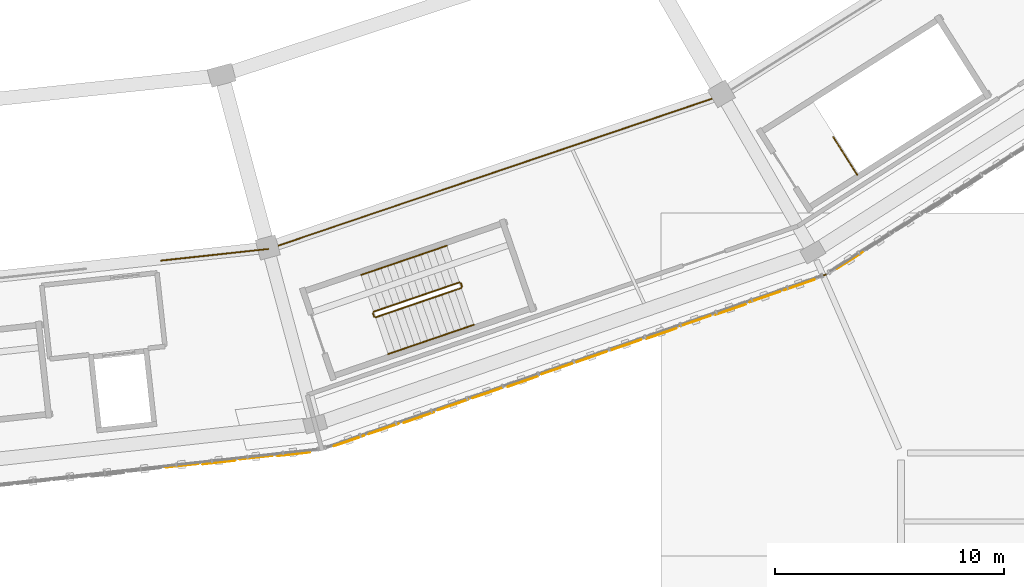
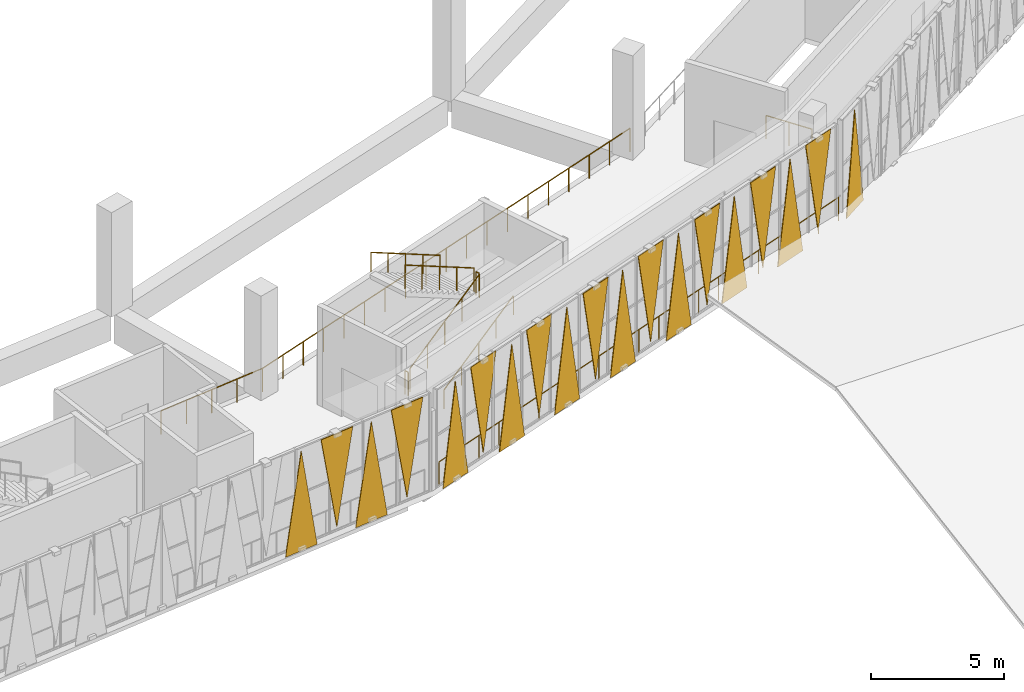
# One storey, part 91 of 108: 19 coverings, 10 railings.
"""IFC4 building model written with IfcOpenShell, lengths in metres."""

import ifcopenshell
import ifcopenshell.guid

model = None  # the IFC model being written
_history = None  # IfcOwnerHistory: only IFC2X3 demands one
_inside = {}  # id of a spatial element -> (the spatial element, [elements in it])
_under = {}  # id of a project, library or spatial element -> (it, [spatial elements below it])
_declared = {}  # id of a project -> (the project, [libraries it declares])
_typed = {}  # id of a type object -> (the type object, [elements of that type])
_made_of = {}  # id of a material, layer set ... -> (it, [elements and type objects made of it])


def new_model(schema):
    """Start an empty IFC model of exactly this schema.

    Asked for "IFC4X3", IfcOpenShell would pick the latest addendum, in which some entities
    have other attributes; the version numbers below select the first issue.
    IFC2X3 requires an IfcOwnerHistory on every rooted entity: one is made here for all.
    """
    global model, _history
    if schema == "IFC4X3":
        model = ifcopenshell.file(schema_version=(4, 3, 0, 0))
    else:
        model = ifcopenshell.file(schema=schema)
    _inside.clear()
    _under.clear()
    _declared.clear()
    _typed.clear()
    _made_of.clear()
    _history = None
    if model.schema == "IFC2X3":
        org = make("IfcOrganization", Name="unknown")
        user = make(
            "IfcPersonAndOrganization",
            ThePerson=make("IfcPerson", FamilyName="unknown"),
            TheOrganization=org,
        )
        app = make(
            "IfcApplication",
            ApplicationDeveloper=org,
            Version="unknown",
            ApplicationFullName="unknown",
            ApplicationIdentifier="unknown",
        )
        _history = make(
            "IfcOwnerHistory",
            OwningUser=user,
            OwningApplication=app,
            ChangeAction="ADDED",
            CreationDate=0,
        )
    return model


def make(cls, **values):
    """One entity of the class cls with the attributes given. An attribute that is None is left unset."""
    return model.create_entity(
        cls, **{name: value for name, value in values.items() if value is not None}
    )


def rooted(cls, **values):
    """An entity with a GlobalId (a new one), such as an element, a storey or a relation."""
    return make(cls, GlobalId=ifcopenshell.guid.new(), OwnerHistory=_history, **values)


def si_unit(unit_type, name, prefix=None):
    """IfcSIUnit, for example si_unit("LENGTHUNIT", "METRE", prefix="MILLI")."""
    return make("IfcSIUnit", UnitType=unit_type, Prefix=prefix, Name=name)


def assignment(units):
    """IfcUnitAssignment: the units of a project."""
    return None if units is None else make("IfcUnitAssignment", Units=units)


def point(xyz):
    """IfcCartesianPoint."""
    return None if xyz is None else make("IfcCartesianPoint", Coordinates=xyz)


def direction(xyz):
    """IfcDirection."""
    return None if xyz is None else make("IfcDirection", DirectionRatios=xyz)


def frame(location, z_axis=None, x_axis=None):
    """IfcAxis2Placement3D, a coordinate frame: its origin and axes. An axis left out is left unset."""
    return make(
        "IfcAxis2Placement3D",
        Location=point(location),
        Axis=direction(z_axis),
        RefDirection=direction(x_axis),
    )


def frame_2d(location, x_axis=None):
    """IfcAxis2Placement2D, a coordinate frame in the plane: its origin and x axis."""
    return make(
        "IfcAxis2Placement2D", Location=point(location), RefDirection=direction(x_axis)
    )


def origin():
    """The frame at (0, 0, 0) with its axes left unset."""
    return frame((0.0, 0.0, 0.0))


def origin_2d():
    """The frame at (0, 0) in the plane with its x axis left unset."""
    return frame_2d((0.0, 0.0))


def place(relative_to, where):
    """IfcLocalPlacement: puts the frame where relative to a parent placement (None: the world)."""
    return make(
        "IfcLocalPlacement", PlacementRelTo=relative_to, RelativePlacement=where
    )


def context(
    kind, dimensions, precision=None, world=None, true_north=None, identifier=None
):
    """IfcGeometricRepresentationContext, for example the 3D "Model" context."""
    return make(
        "IfcGeometricRepresentationContext",
        ContextIdentifier=identifier,
        ContextType=kind,
        CoordinateSpaceDimension=dimensions,
        Precision=precision,
        WorldCoordinateSystem=world,
        TrueNorth=true_north,
    )


def subcontext(parent, identifier, kind, view, scale=None):
    """IfcGeometricRepresentationSubContext, for example "Body" below "Model"."""
    return make(
        "IfcGeometricRepresentationSubContext",
        ContextIdentifier=identifier,
        ContextType=kind,
        ParentContext=parent,
        TargetScale=scale,
        TargetView=view,
    )


def project(units=None, contexts=None):
    """IfcProject with its units and contexts."""
    return rooted(
        "IfcProject",
        Name="project",
        RepresentationContexts=contexts,
        UnitsInContext=assignment(units),
    )


def spatial(cls, under=None, at=None, **own):
    """A site, building, storey or space (cls), placed at a placement, below another one or the project."""
    s = rooted(cls, ObjectPlacement=at, **own)
    if under is not None:
        _under.setdefault(under.id(), (under, []))[1].append(s)
    return s


def polyline(points):
    """IfcPolyline through the points."""
    return make("IfcPolyline", Points=[point(p) for p in points])


def profile(cls, at=None, kind="AREA", **sizes):
    """A parametric profile (cls). Its sizes go by their IFC names, for example OverallWidth=200.0."""
    return make(cls, ProfileType=kind, Position=at, **sizes)


def circle(**sizes):
    """IfcCircleProfileDef."""
    return profile("IfcCircleProfileDef", **sizes)


def outline(outer, holes=None, kind="AREA"):
    """IfcArbitraryClosedProfileDef: a profile drawn as a closed curve; with holes, ...WithVoids."""
    if holes is None:
        return make("IfcArbitraryClosedProfileDef", ProfileType=kind, OuterCurve=outer)
    return make(
        "IfcArbitraryProfileDefWithVoids",
        ProfileType=kind,
        OuterCurve=outer,
        InnerCurves=holes,
    )


def extrude(swept, where, along, depth):
    """IfcExtrudedAreaSolid: the profile swept, set in the frame where, extruded along a direction by depth."""
    return make(
        "IfcExtrudedAreaSolid",
        SweptArea=swept,
        Position=where,
        ExtrudedDirection=direction(along),
        Depth=depth,
    )


def shape(context_of_items, identifier, shape_type, items):
    """IfcShapeRepresentation: the items that make up one representation, for example the "Body"."""
    return make(
        "IfcShapeRepresentation",
        ContextOfItems=context_of_items,
        RepresentationIdentifier=identifier,
        RepresentationType=shape_type,
        Items=items,
    )


def material(Name=None, Category=None):
    """IfcMaterial."""
    return make("IfcMaterial", Name=Name, Category=Category)


def layer(
    of_material, thickness, ventilated=None, Name=None, Category=None, Priority=None
):
    """IfcMaterialLayer: one layer of a wall or slab, of a material (None: an air gap)."""
    return make(
        "IfcMaterialLayer",
        Material=of_material,
        LayerThickness=thickness,
        IsVentilated=ventilated,
        Name=Name,
        Category=Category,
        Priority=Priority,
    )


def layer_set(layers, Name=None):
    """IfcMaterialLayerSet."""
    return make("IfcMaterialLayerSet", MaterialLayers=layers, LayerSetName=Name)


def made_of(thing, what):
    """Note that an element or type object is made of a material, layer set ...; save() writes the relation."""
    if what is not None:
        _made_of.setdefault(what.id(), (what, []))[1].append(thing)
    return thing


def type_object(cls, material=None, **own):
    """A type object (cls), such as IfcWallType, which elements share."""
    return made_of(rooted(cls, **own), material)


def element(
    cls,
    number,
    at=None,
    inside=None,
    cuts=None,
    type_object=None,
    material=None,
    context=None,
    identifier="Body",
    shape_type=None,
    held_by="IfcProductDefinitionShape",
    body=None,
    shapes=None,
    **own,
):
    """One element of the class cls, such as IfcWall. Its Tag is "e" and its number.

    at: its placement. inside: the storey or other place that contains it. cuts: it is an
    opening in that element (IfcRelVoidsElement). A single representation is given by context,
    identifier, shape_type and body (its items); several are given by shapes. held_by: the class
    of the entity that holds the representations. save() writes the other relations.
    """
    e = rooted(cls, Tag="e%d" % number, ObjectPlacement=at, **own)
    if body is not None:
        shapes = [shape(context, identifier, shape_type, body)]
    if shapes is not None:
        e.Representation = make(held_by, Representations=shapes)
    if inside is not None:
        _inside.setdefault(inside.id(), (inside, []))[1].append(e)
    if cuts is not None:
        rooted(
            "IfcRelVoidsElement", RelatingBuildingElement=cuts, RelatedOpeningElement=e
        )
    if type_object is not None:
        _typed.setdefault(type_object.id(), (type_object, []))[1].append(e)
    return made_of(e, material)


def aggregate(whole, parts):
    """IfcRelAggregates: a whole, such as a stair, and the parts it consists of."""
    return rooted("IfcRelAggregates", RelatingObject=whole, RelatedObjects=parts)


def save(model, path):
    """Write the relations noted so far, then the file.

    IfcRelAggregates (storeys below a building ...), IfcRelContainedInSpatialStructure (elements
    in a storey), IfcRelDefinesByType, IfcRelAssociatesMaterial and IfcRelDeclares: one each for
    every whole, place, type object, material and project.
    """
    for whole, parts in _under.values():
        aggregate(whole, parts)
    for where, things in _inside.values():
        rooted(
            "IfcRelContainedInSpatialStructure",
            RelatedElements=things,
            RelatingStructure=where,
        )
    for kind, things in _typed.values():
        rooted("IfcRelDefinesByType", RelatedObjects=things, RelatingType=kind)
    for what, things in _made_of.values():
        rooted("IfcRelAssociatesMaterial", RelatedObjects=things, RelatingMaterial=what)
    for by, libraries in _declared.values():
        rooted("IfcRelDeclares", RelatingContext=by, RelatedDefinitions=libraries)
    model.write(path)


model = new_model("IFC4")

# Units and contexts
model_context = context("Model", 3, precision=1e-05, world=origin(), true_north=direction((0.0, 1.0)))
body_context = subcontext(model_context, "Body", "Model", "MODEL_VIEW")
ifc_project = project(units=[si_unit("LENGTHUNIT", "METRE"), si_unit("AREAUNIT", "SQUARE_METRE"), si_unit("VOLUMEUNIT", "CUBIC_METRE"), si_unit("PLANEANGLEUNIT", "RADIAN"), si_unit("MASSUNIT", "GRAM", prefix="KILO")], contexts=[model_context])

# Site, building, storey
site_placement = place(None, origin())
site = spatial("IfcSite", under=ifc_project, at=site_placement, CompositionType="ELEMENT")
building_placement = place(site_placement, origin())
building = spatial("IfcBuilding", under=site, at=building_placement, Name="Zevraka Park Crest Stadium", CompositionType="ELEMENT")
storey_placement = place(building_placement, frame((0.0, 0.0, 19.800048828125)))
storey = spatial("IfcBuildingStorey", under=building, at=storey_placement, Name="L04", CompositionType="ELEMENT", Elevation=19.800048828125)

# Coverings
ifc_material_1 = material(Name="Architectural golden-bronze perforated aluminium", Category="aluminium")
ifc_layer = layer(ifc_material_1, 0.034912109375)
ifc_layer_set = layer_set([ifc_layer], Name="Architectural golden-bronze perforated aluminium")
covering_type = type_object("IfcCoveringType", Name="CLD01", PredefinedType="CLADDING", material=ifc_layer_set)
covering_1_placement = place(storey_placement, frame((128.803955078125, 17.35009765625, -0.219970703125), z_axis=(0.108943553781, -0.994047934571, 7.6581914e-05), x_axis=(0.994047937486, 0.1089435541, 0.0)))
element("IfcCovering", 1, at=covering_1_placement, inside=storey, type_object=covering_type, Name="Triangular Golden-Bronze Perforated Cladding L04-18-11", PredefinedType="CLADDING", context=body_context, shape_type="SweptSolid", body=[
    extrude(outline(polyline([(0.0, 0.0), (1.476807629456759, 1.6940658945086007e-21), (0.73856505479183, 4.579833997804882), (0.0, 0.0)])), origin(), (0.0, 0.0, -1.0), 0.034912109375),
])
covering_2_placement = place(storey_placement, frame((131.89990234375, 17.69091796875, 4.52001953125), z_axis=(-0.109524916969, 0.993984050376, 1.2671307e-05), x_axis=(-0.993984050456, -0.109524916977, 0.0)))
element("IfcCovering", 2, at=covering_2_placement, inside=storey, type_object=covering_type, Name="Triangular Golden-Bronze Perforated Cladding L04-18-12", PredefinedType="CLADDING", context=body_context, shape_type="SweptSolid", body=[
    extrude(outline(polyline([(0.0, 0.0), (1.477885022351149, 0.0), (0.7383224617164366, -4.300048828470214), (0.0, 0.0)])), origin(), (0.0, 0.0, -1.0), 0.034912109375),
])
covering_3_placement = place(storey_placement, frame((132.05908203125, 17.7080078125, -0.219970703125), z_axis=(0.109688126845, -0.99396605305, 1.4618067e-05), x_axis=(0.993966053156, 0.109688126857, 0.0)))
element("IfcCovering", 3, at=covering_3_placement, inside=storey, type_object=covering_type, Name="Triangular Golden-Bronze Perforated Cladding L04-18-13", PredefinedType="CLADDING", context=body_context, shape_type="SweptSolid", body=[
    extrude(outline(polyline([(0.0, 0.0), (1.477911781756094, 4.235164736271502e-22), (0.7383492221444313, 4.579833984864329), (0.0, 0.0)])), origin(), (0.0, 0.0, -1.0), 0.034912109375),
])
covering_4_placement = place(storey_placement, frame((135.155029296875, 18.049072265625, 4.52001953125), z_axis=(-0.109760215407, 0.993958095246, 3.115886e-06), x_axis=(-0.99395809525, -0.109760215408, 0.0)))
element("IfcCovering", 4, at=covering_4_placement, inside=storey, type_object=covering_type, Name="Triangular Golden-Bronze Perforated Cladding L04-18-14", PredefinedType="CLADDING", context=body_context, shape_type="SweptSolid", body=[
    extrude(outline(polyline([(0.0, 0.0), (1.4769411156667285, 0.0), (0.7385918906086634, -4.300048828145875), (0.0, 0.0)])), origin(), (0.0, 0.0, -1.0), 0.034912109375),
])
covering_5_placement = place(storey_placement, frame((136.18310546875, 18.280029296875, -0.219970703125), z_axis=(0.327569380281, -0.944827118034, 0.000134647502), x_axis=(0.944827126599, 0.327569383251, 0.0)))
element("IfcCovering", 5, at=covering_5_placement, inside=storey, type_object=covering_type, Name="Triangular Golden-Bronze Perforated Cladding L04-19-1", PredefinedType="CLADDING", context=body_context, shape_type="SweptSolid", body=[
    extrude(outline(polyline([(0.0, 0.0), (1.4436648075350447, 0.0), (0.7219170009098143, 4.579834025891081), (0.0, 0.0)])), origin(), (0.0, 0.0, -1.0), 0.034912109375),
])
covering_6_placement = place(storey_placement, frame((139.06298828125, 19.278076171875, 4.52001953125), z_axis=(0.327511027128, -0.944847343999, 0.000153776884), x_axis=(-0.944847355171, -0.327511031, 0.0)))
element("IfcCovering", 6, at=covering_6_placement, inside=storey, type_object=covering_type, Name="Triangular Golden-Bronze Perforated Cladding L04-19-2", PredefinedType="CLADDING", context=body_context, shape_type="SweptSolid", body=[
    extrude(outline(polyline([(0.0, 0.0), (1.4446674660249328, 0.0), (0.7219169614485192, 4.300048878967339), (0.0, 0.0)])), origin(), (0.0, 0.0, -1.0), 0.034912109375),
])
covering_7_placement = place(storey_placement, frame((139.214111328125, 19.330078125, -0.219970703125), z_axis=(-0.327621727987, 0.944808968785, 0.00012591409), x_axis=(0.944808976275, 0.327621730584, 0.0)))
element("IfcCovering", 7, at=covering_7_placement, inside=storey, type_object=covering_type, Name="Triangular Golden-Bronze Perforated Cladding L04-19-3", PredefinedType="CLADDING", context=body_context, shape_type="SweptSolid", body=[
    extrude(outline(polyline([(0.0, 0.0), (1.4434341390652787, -6.776263578034403e-21), (0.7215171050974682, -4.579834020680166), (0.0, 0.0)])), origin(), (0.0, 0.0, -1.0), 0.034912109375),
])
covering_8_placement = place(storey_placement, frame((142.093994140625, 20.326904296875, 4.52001953125), z_axis=(0.326756380834, -0.945108600745, 1.9550142e-05), x_axis=(-0.945108600926, -0.326756380896, 0.0)))
element("IfcCovering", 8, at=covering_8_placement, inside=storey, type_object=covering_type, Name="Triangular Golden-Bronze Perforated Cladding L04-19-4", PredefinedType="CLADDING", context=body_context, shape_type="SweptSolid", body=[
    extrude(outline(polyline([(0.0, 0.0), (1.4442681328241207, -1.6940658945086007e-21), (0.7215173306472258, 4.300048828946757), (0.0, 0.0)])), origin(), (0.0, 0.0, -1.0), 0.034912109375),
])
covering_9_placement = place(storey_placement, frame((142.2451171875, 20.3798828125, -0.219970703125), z_axis=(0.327168665481, -0.944965959348, 0.0), x_axis=(0.944965959348, 0.327168665481, 0.0)))
element("IfcCovering", 9, at=covering_9_placement, inside=storey, type_object=covering_type, Name="Triangular Golden-Bronze Perforated Cladding L04-19-5", PredefinedType="CLADDING", context=body_context, shape_type="SweptSolid", body=[
    extrude(outline(polyline([(0.0, 0.0), (1.4431943476466869, 0.0), (0.7215971738233434, 4.579833984375), (0.0, 0.0)])), origin(), (0.0, 0.0, -1.0), 0.034912109375),
])
covering_10_placement = place(storey_placement, frame((145.125, 21.376953125, 4.52001953125), z_axis=(-0.32696531961, 0.945036337642, 1.7545876e-05), x_axis=(-0.945036337788, -0.326965319661, 0.0)))
element("IfcCovering", 10, at=covering_10_placement, inside=storey, type_object=covering_type, Name="Triangular Golden-Bronze Perforated Cladding L04-19-6", PredefinedType="CLADDING", context=body_context, shape_type="SweptSolid", body=[
    extrude(outline(polyline([(0.0, 0.0), (1.443345210479487, 0.0), (0.7215173315999183, -4.3000488287869025), (0.0, 0.0)])), origin(), (0.0, 0.0, -1.0), 0.034912109375),
])
covering_11_placement = place(storey_placement, frame((145.27587890625, 21.428955078125, -0.219970703125), z_axis=(0.327720335055, -0.944774773969, 9.1992611e-05), x_axis=(0.944774777967, 0.327720336442, 0.0)))
element("IfcCovering", 11, at=covering_11_placement, inside=storey, type_object=covering_type, Name="Triangular Golden-Bronze Perforated Cladding L04-19-7", PredefinedType="CLADDING", context=body_context, shape_type="SweptSolid", body=[
    extrude(outline(polyline([(0.0, 0.0), (1.4437447989564163, 0.0), (0.7221477481261248, 4.579834003753744), (0.0, 0.0)])), origin(), (0.0, 0.0, -1.0), 0.034912109375),
])
covering_12_placement = place(storey_placement, frame((148.156005859375, 22.427001953125, 4.52001953125), z_axis=(0.327569379882, -0.944827116883, 0.000143408419), x_axis=(-0.944827126599, -0.327569383251, 0.0)))
element("IfcCovering", 12, at=covering_12_placement, inside=storey, type_object=covering_type, Name="Triangular Golden-Bronze Perforated Cladding L04-19-8", PredefinedType="CLADDING", context=body_context, shape_type="SweptSolid", body=[
    extrude(outline(polyline([(0.0, 0.0), (1.4436648075350447, -1.3552527156068805e-20), (0.7219170009098143, 4.300048872342348), (0.0, 0.0)])), origin(), (0.0, 0.0, -1.0), 0.034912109375),
])
covering_13_placement = place(storey_placement, frame((148.306884765625, 22.47900390625, -0.219970703125), z_axis=(0.326965319616, -0.945036337659, 1.6473986e-05), x_axis=(0.945036337788, 0.326965319661, 0.0)))
element("IfcCovering", 13, at=covering_13_placement, inside=storey, type_object=covering_type, Name="Triangular Golden-Bronze Perforated Cladding L04-19-9", PredefinedType="CLADDING", context=body_context, shape_type="SweptSolid", body=[
    extrude(outline(polyline([(0.0, 0.0), (1.4433452104794873, 8.470329472543003e-22), (0.7218278788795688, 4.5798339849964655), (0.0, 0.0)])), origin(), (0.0, 0.0, -1.0), 0.034912109375),
])
covering_14_placement = place(storey_placement, frame((151.18701171875, 23.47607421875, 4.52001953125), z_axis=(-0.327116373156, 0.944984062473, 9.28622e-06), x_axis=(-0.944984062513, -0.32711637317, 0.0)))
element("IfcCovering", 14, at=covering_14_placement, inside=storey, type_object=covering_type, Name="Triangular Golden-Bronze Perforated Cladding L04-19-10", PredefinedType="CLADDING", context=body_context, shape_type="SweptSolid", body=[
    extrude(outline(polyline([(0.0, 0.0), (1.4434250544366414, 0.0), (0.7218278817181392, -4.3000488283104055), (0.0, 0.0)])), origin(), (0.0, 0.0, -1.0), 0.034912109375),
])
covering_15_placement = place(storey_placement, frame((151.337890625, 23.529052734375, -0.219970703125), z_axis=(0.326756380896, -0.945108600925, 9.37165e-07), x_axis=(0.945108600926, 0.326756380896, 0.0)))
element("IfcCovering", 15, at=covering_15_placement, inside=storey, type_object=covering_type, Name="Triangular Golden-Bronze Perforated Cladding L04-19-11", PredefinedType="CLADDING", context=body_context, shape_type="SweptSolid", body=[
    extrude(outline(polyline([(0.0, 0.0), (1.4442681328241207, 0.0), (0.7217480700517487, 4.579833984377012), (0.0, 0.0)])), origin(), (0.0, 0.0, -1.0), 0.034912109375),
])
covering_16_placement = place(storey_placement, frame((154.218017578125, 24.52587890625, 4.52001953125), z_axis=(-0.327569379882, 0.944827116883, 0.000143408419), x_axis=(-0.944827126599, -0.327569383251, 0.0)))
element("IfcCovering", 16, at=covering_16_placement, inside=storey, type_object=covering_type, Name="Triangular Golden-Bronze Perforated Cladding L04-19-12", PredefinedType="CLADDING", context=body_context, shape_type="SweptSolid", body=[
    extrude(outline(polyline([(0.0, 0.0), (1.4436648075350447, -1.3552527156068805e-20), (0.7217478066252305, -4.300048872342348), (0.0, 0.0)])), origin(), (0.0, 0.0, -1.0), 0.034912109375),
])
covering_17_placement = place(storey_placement, frame((154.368896484375, 24.577880859375, -0.219970703125), z_axis=(0.327511028362, -0.94484734756, 0.000126923676), x_axis=(0.944847355171, 0.327511031, 0.0)))
element("IfcCovering", 17, at=covering_17_placement, inside=storey, type_object=covering_type, Name="Triangular Golden-Bronze Perforated Cladding L04-19-13", PredefinedType="CLADDING", context=body_context, shape_type="SweptSolid", body=[
    extrude(outline(polyline([(0.0, 0.0), (1.4446674660249328, 6.776263578034403e-21), (0.7221476370723403, 4.579834021264692), (0.0, 0.0)])), origin(), (0.0, 0.0, -1.0), 0.034912109375),
])
covering_18_placement = place(storey_placement, frame((157.2490234375, 25.575927734375, 4.52001953125), z_axis=(0.327569382421, -0.944827124206, 7.1166524e-05), x_axis=(-0.944827126599, -0.327569383251, 0.0)))
element("IfcCovering", 18, at=covering_18_placement, inside=storey, type_object=covering_type, Name="Triangular Golden-Bronze Perforated Cladding L04-19-14", PredefinedType="CLADDING", context=body_context, shape_type="SweptSolid", body=[
    extrude(outline(polyline([(0.0, 0.0), (1.4436648075350447, 0.0), (0.7220676986010613, 4.300048839014174), (0.0, 0.0)])), origin(), (0.0, 0.0, -1.0), 0.034912109375),
])
covering_19_placement = place(storey_placement, frame((158.196044921875, 26.034912109375, -0.219970703125), z_axis=(0.539794336189, -0.84179691905, 0.00014729903), x_axis=(0.841796928182, 0.539794342045, 0.0)))
element("IfcCovering", 19, at=covering_19_placement, inside=storey, type_object=covering_type, Name="Triangular Golden-Bronze Perforated Cladding L04-20-1", PredefinedType="CLADDING", context=body_context, shape_type="SweptSolid", body=[
    extrude(outline(polyline([(0.0, 0.0), (1.3839906318215187, 2.710505431213761e-20), (0.691847853710497, 4.579834034059339), (0.0, 0.0)])), origin(), (0.0, 0.0, -1.0), 0.034912109375),
])

# Railings
ifc_material_2 = material(Name="Galvanised and bronze-finished steel balustrade", Category="steel")
railing_type_1 = type_object("IfcRailingType", Name="GR01", PredefinedType="GUARDRAIL", material=ifc_material_2)
railing_1_placement = place(storey_placement, frame((157.718994140625, 25.81201171875, 0.0)))
element("IfcRailing", 20, at=railing_1_placement, inside=storey, type_object=railing_type_1, Name="Deck Edge Protection Guardrail GR01 L04-17", PredefinedType="GUARDRAIL", context=body_context, shape_type="SweptSolid", body=[
    extrude(circle(Radius=0.02392578125, at=origin_2d()), frame((0.0, 0.0, 1.076171875), z_axis=(-0.944948157026, -0.327220079661, 0.0), x_axis=(0.327220079661, -0.944948157026, 0.0)), (0.0, 0.0, 1.0), 22.969482421875),
    extrude(circle(Radius=0.02099609375, at=origin_2d()), origin(), (0.0, 0.0, 1.0), 1.052001953125),
    extrude(circle(Radius=0.02099609375, at=origin_2d()), frame((-1.085205078125, -0.375732421875, 0.0)), (0.0, 0.0, 1.0), 1.052001953125),
    extrude(circle(Radius=0.02099609375, at=origin_2d()), frame((-2.17041015625, -0.751708984375, 0.0)), (0.0, 0.0, 1.0), 1.052001953125),
    extrude(circle(Radius=0.02099609375, at=origin_2d()), frame((-3.255859375, -1.12744140625, 0.0)), (0.0, 0.0, 1.0), 1.052001953125),
    extrude(circle(Radius=0.02099609375, at=origin_2d()), frame((-4.341064453125, -1.503173828125, 0.0)), (0.0, 0.0, 1.0), 1.052001953125),
    extrude(circle(Radius=0.02099609375, at=origin_2d()), frame((-5.42626953125, -1.87890625, 0.0)), (0.0, 0.0, 1.0), 1.052001953125),
    extrude(circle(Radius=0.02099609375, at=origin_2d()), frame((-6.511474609375, -2.2548828125, 0.0)), (0.0, 0.0, 1.0), 1.052001953125),
    extrude(circle(Radius=0.02099609375, at=origin_2d()), frame((-7.5966796875, -2.630615234375, 0.0)), (0.0, 0.0, 1.0), 1.052001953125),
    extrude(circle(Radius=0.02099609375, at=origin_2d()), frame((-8.68212890625, -3.00634765625, 0.0)), (0.0, 0.0, 1.0), 1.052001953125),
    extrude(circle(Radius=0.02099609375, at=origin_2d()), frame((-9.767333984375, -3.38232421875, 0.0)), (0.0, 0.0, 1.0), 1.052001953125),
    extrude(circle(Radius=0.02099609375, at=origin_2d()), frame((-10.8525390625, -3.758056640625, 0.0)), (0.0, 0.0, 1.0), 1.052001953125),
    extrude(circle(Radius=0.02099609375, at=origin_2d()), frame((-11.937744140625, -4.1337890625, 0.0)), (0.0, 0.0, 1.0), 1.052001953125),
    extrude(circle(Radius=0.02099609375, at=origin_2d()), frame((-13.02294921875, -4.509765625, 0.0)), (0.0, 0.0, 1.0), 1.052001953125),
    extrude(circle(Radius=0.02099609375, at=origin_2d()), frame((-14.1083984375, -4.885498046875, 0.0)), (0.0, 0.0, 1.0), 1.052001953125),
    extrude(circle(Radius=0.02099609375, at=origin_2d()), frame((-15.193603515625, -5.26123046875, 0.0)), (0.0, 0.0, 1.0), 1.052001953125),
    extrude(circle(Radius=0.02099609375, at=origin_2d()), frame((-16.27880859375, -5.63720703125, 0.0)), (0.0, 0.0, 1.0), 1.052001953125),
    extrude(circle(Radius=0.02099609375, at=origin_2d()), frame((-17.364013671875, -6.012939453125, 0.0)), (0.0, 0.0, 1.0), 1.052001953125),
    extrude(circle(Radius=0.02099609375, at=origin_2d()), frame((-18.44921875, -6.388671875, 0.0)), (0.0, 0.0, 1.0), 1.052001953125),
    extrude(circle(Radius=0.02099609375, at=origin_2d()), frame((-19.53466796875, -6.764404296875, 0.0)), (0.0, 0.0, 1.0), 1.052001953125),
    extrude(circle(Radius=0.02099609375, at=origin_2d()), frame((-20.619873046875, -7.140380859375, 0.0)), (0.0, 0.0, 1.0), 1.052001953125),
    extrude(circle(Radius=0.02099609375, at=origin_2d()), frame((-21.705078125, -7.51611328125, 0.0)), (0.0, 0.0, 1.0), 1.052001953125),
])
railing_2_placement = place(storey_placement, frame((128.631103515625, 26.419921875, 0.0)))
element("IfcRailing", 21, at=railing_2_placement, inside=storey, type_object=railing_type_1, Name="Deck Edge Protection Guardrail GR01 L04-29", PredefinedType="GUARDRAIL", context=body_context, shape_type="SweptSolid", body=[
    extrude(circle(Radius=0.02392578125, at=origin_2d()), frame((0.0, 0.0, 1.076171875), z_axis=(0.994195544641, 0.107588191804, 0.0), x_axis=(-0.107588191804, 0.994195544641, 0.0)), (0.0, 0.0, 1.0), 4.72216796875),
    extrude(circle(Radius=0.02099609375, at=origin_2d()), origin(), (0.0, 0.0, 1.0), 1.052001953125),
    extrude(circle(Radius=0.02099609375, at=origin_2d()), frame((1.173828125, 0.126953125, 0.0)), (0.0, 0.0, 1.0), 1.052001953125),
    extrude(circle(Radius=0.02099609375, at=origin_2d()), frame((2.347412109375, 0.25390625, 0.0)), (0.0, 0.0, 1.0), 1.052001953125),
    extrude(circle(Radius=0.02099609375, at=origin_2d()), frame((3.52099609375, 0.381103515625, 0.0)), (0.0, 0.0, 1.0), 1.052001953125),
    extrude(circle(Radius=0.02099609375, at=origin_2d()), frame((4.69482421875, 0.508056640625, 0.0)), (0.0, 0.0, 1.0), 1.052001953125),
])
railing_3_placement = place(storey_placement, frame((133.325927734375, 26.927978515625, 0.0)))
element("IfcRailing", 22, at=railing_3_placement, inside=storey, type_object=railing_type_1, Name="Deck Edge Protection Guardrail GR01 L04-30", PredefinedType="GUARDRAIL", context=body_context, shape_type="SweptSolid", body=[
    extrude(circle(Radius=0.02392578125, at=origin_2d()), frame((0.0, 0.0, 1.076171875), z_axis=(0.947117816508, 0.320886025956, 0.0), x_axis=(-0.320886025956, 0.947117816508, 0.0)), (0.0, 0.0, 1.0), 20.97314453125),
    extrude(circle(Radius=0.02099609375, at=origin_2d()), origin(), (0.0, 0.0, 1.0), 1.052001953125),
    extrude(circle(Radius=0.02099609375, at=origin_2d()), frame((1.103515625, 0.373779296875, 0.0)), (0.0, 0.0, 1.0), 1.052001953125),
    extrude(circle(Radius=0.02099609375, at=origin_2d()), frame((2.20703125, 0.747802734375, 0.0)), (0.0, 0.0, 1.0), 1.052001953125),
    extrude(circle(Radius=0.02099609375, at=origin_2d()), frame((3.310546875, 1.12158203125, 0.0)), (0.0, 0.0, 1.0), 1.052001953125),
    extrude(circle(Radius=0.02099609375, at=origin_2d()), frame((4.414306640625, 1.49560546875, 0.0)), (0.0, 0.0, 1.0), 1.052001953125),
    extrude(circle(Radius=0.02099609375, at=origin_2d()), frame((5.517822265625, 1.869384765625, 0.0)), (0.0, 0.0, 1.0), 1.052001953125),
    extrude(circle(Radius=0.02099609375, at=origin_2d()), frame((6.621337890625, 2.243408203125, 0.0)), (0.0, 0.0, 1.0), 1.052001953125),
    extrude(circle(Radius=0.02099609375, at=origin_2d()), frame((7.724853515625, 2.6171875, 0.0)), (0.0, 0.0, 1.0), 1.052001953125),
    extrude(circle(Radius=0.02099609375, at=origin_2d()), frame((8.828369140625, 2.9912109375, 0.0)), (0.0, 0.0, 1.0), 1.052001953125),
    extrude(circle(Radius=0.02099609375, at=origin_2d()), frame((9.93212890625, 3.364990234375, 0.0)), (0.0, 0.0, 1.0), 1.052001953125),
    extrude(circle(Radius=0.02099609375, at=origin_2d()), frame((11.03564453125, 3.73876953125, 0.0)), (0.0, 0.0, 1.0), 1.052001953125),
    extrude(circle(Radius=0.02099609375, at=origin_2d()), frame((12.13916015625, 4.11279296875, 0.0)), (0.0, 0.0, 1.0), 1.052001953125),
    extrude(circle(Radius=0.02099609375, at=origin_2d()), frame((13.24267578125, 4.486572265625, 0.0)), (0.0, 0.0, 1.0), 1.052001953125),
    extrude(circle(Radius=0.02099609375, at=origin_2d()), frame((14.34619140625, 4.860595703125, 0.0)), (0.0, 0.0, 1.0), 1.052001953125),
    extrude(circle(Radius=0.02099609375, at=origin_2d()), frame((15.44970703125, 5.234375, 0.0)), (0.0, 0.0, 1.0), 1.052001953125),
    extrude(circle(Radius=0.02099609375, at=origin_2d()), frame((16.55322265625, 5.6083984375, 0.0)), (0.0, 0.0, 1.0), 1.052001953125),
    extrude(circle(Radius=0.02099609375, at=origin_2d()), frame((17.656982421875, 5.982177734375, 0.0)), (0.0, 0.0, 1.0), 1.052001953125),
    extrude(circle(Radius=0.02099609375, at=origin_2d()), frame((18.760498046875, 6.356201171875, 0.0)), (0.0, 0.0, 1.0), 1.052001953125),
    extrude(circle(Radius=0.02099609375, at=origin_2d()), frame((19.864013671875, 6.72998046875, 0.0)), (0.0, 0.0, 1.0), 1.052001953125),
])
ifc_material_3 = material(Name="Powder-coated tubular steel stairwell guard", Category="steel")
railing_type_2 = type_object("IfcRailingType", Name="GR03", PredefinedType="GUARDRAIL", material=ifc_material_3)
railing_4_placement = place(storey_placement, frame((138.01611328125, 23.9365234375, 0.17138671875)))
element("IfcRailing", 23, at=railing_4_placement, inside=storey, type_object=railing_type_2, Name="L04 ST20 stair guard 1", PredefinedType="GUARDRAIL", context=body_context, shape_type="SweptSolid", body=[
    extrude(circle(Radius=0.02392578125, at=origin_2d()), frame((0.0, 0.0, 1.076171875), z_axis=(0.824726794133, 0.282441418206, 0.489951589772), x_axis=(-0.32399372979, 0.946059228091, 0.0)), (0.0, 0.0, 1.0), 4.54833984375),
    extrude(circle(Radius=0.02099609375, at=origin_2d()), origin(), (0.0, 0.0, 1.0), 1.052001953125),
    extrude(circle(Radius=0.02099609375, at=origin_2d()), frame((0.937744140625, 0.3212890625, 0.55712890625)), (0.0, 0.0, 1.0), 1.052001953125),
    extrude(circle(Radius=0.02099609375, at=origin_2d()), frame((1.87548828125, 0.642333984375, 1.1142578125)), (0.0, 0.0, 1.0), 1.052001953125),
    extrude(circle(Radius=0.02099609375, at=origin_2d()), frame((2.8134765625, 0.96337890625, 1.67138671875)), (0.0, 0.0, 1.0), 1.052001953125),
    extrude(circle(Radius=0.02099609375, at=origin_2d()), frame((3.751220703125, 1.28466796875, 2.228515625)), (0.0, 0.0, 1.0), 1.052001953125),
])
railing_5_placement = place(storey_placement, frame((141.798583984375, 25.28466796875, 2.39990234375)))
element("IfcRailing", 24, at=railing_5_placement, inside=storey, type_object=railing_type_2, Name="L04 ST20 stair guard 2", PredefinedType="GUARDRAIL", context=body_context, shape_type="SweptSolid", body=[
    extrude(circle(Radius=0.02392578125, at=origin_2d()), frame((0.0, 0.0, 1.076171875), z_axis=(-0.324909238665, 0.945745201748, 0.0), x_axis=(-0.945745201748, -0.324909238665, 0.0)), (0.0, 0.0, 1.0), 0.16015625),
    extrude(circle(Radius=0.02099609375, at=origin_2d()), origin(), (0.0, 0.0, 1.0), 1.052001953125),
    extrude(circle(Radius=0.02099609375, at=origin_2d()), frame((-0.052001953125, 0.1513671875, 0.0)), (0.0, 0.0, 1.0), 1.052001953125),
])
railing_6_placement = place(storey_placement, frame((141.68310546875, 25.467041015625, 2.5712890625)))
element("IfcRailing", 25, at=railing_6_placement, inside=storey, type_object=railing_type_2, Name="L04 ST20 stair guard 3", PredefinedType="GUARDRAIL", context=body_context, shape_type="SweptSolid", body=[
    extrude(circle(Radius=0.02392578125, at=origin_2d()), frame((0.0, 0.0, 1.076171875), z_axis=(-0.824717605898, -0.282384596462, 0.489999806329), x_axis=(0.323938619155, -0.946078099852, 0.0)), (0.0, 0.0, 1.0), 4.548583984375),
    extrude(circle(Radius=0.02099609375, at=origin_2d()), origin(), (0.0, 0.0, 1.0), 1.052001953125),
    extrude(circle(Radius=0.02099609375, at=origin_2d()), frame((-0.937744140625, -0.321044921875, 0.55712890625)), (0.0, 0.0, 1.0), 1.052001953125),
    extrude(circle(Radius=0.02099609375, at=origin_2d()), frame((-1.87548828125, -0.64208984375, 1.1142578125)), (0.0, 0.0, 1.0), 1.052001953125),
    extrude(circle(Radius=0.02099609375, at=origin_2d()), frame((-2.8134765625, -0.96337890625, 1.671630859375)), (0.0, 0.0, 1.0), 1.052001953125),
    extrude(circle(Radius=0.02099609375, at=origin_2d()), frame((-3.751220703125, -1.284423828125, 2.228759765625)), (0.0, 0.0, 1.0), 1.052001953125),
])
railing_7_placement = place(storey_placement, frame((137.95263671875, 23.9677734375, 0.0)))
element("IfcRailing", 26, at=railing_7_placement, inside=storey, type_object=railing_type_2, Name="L04 ST20 stair guard 4", PredefinedType="GUARDRAIL", context=body_context, shape_type="SweptSolid", body=[
    extrude(circle(Radius=0.02392578125, at=origin_2d()), frame((0.0, 0.0, 1.076171875), z_axis=(-0.32354385955, 0.946213174156, 0.0), x_axis=(-0.946213174156, -0.32354385955, 0.0)), (0.0, 0.0, 1.0), 0.159912109375),
    extrude(circle(Radius=0.02099609375, at=origin_2d()), origin(), (0.0, 0.0, 1.0), 1.052001953125),
    extrude(circle(Radius=0.02099609375, at=origin_2d()), frame((-0.0517578125, 0.1513671875, 0.0)), (0.0, 0.0, 1.0), 1.052001953125),
])
railing_8_placement = place(storey_placement, frame((159.08984375, 30.17041015625, 0.0)))
element("IfcRailing", 27, at=railing_8_placement, inside=storey, type_object=railing_type_2, Name="L04 ST21 top well guard 1", PredefinedType="GUARDRAIL", context=body_context, shape_type="SweptSolid", body=[
    extrude(circle(Radius=0.02392578125, at=origin_2d()), frame((0.0, 0.0, 1.076171875), z_axis=(-0.535730515973, 0.844389018317, 0.0), x_axis=(-0.844389018317, -0.535730515973, 0.0)), (0.0, 0.0, 1.0), 1.9599609375),
    extrude(circle(Radius=0.02099609375, at=origin_2d()), origin(), (0.0, 0.0, 1.0), 1.052001953125),
    extrude(circle(Radius=0.02099609375, at=origin_2d()), frame((-0.52490234375, 0.82763671875, 0.0)), (0.0, 0.0, 1.0), 1.052001953125),
    extrude(circle(Radius=0.02099609375, at=origin_2d()), frame((-1.050048828125, 1.655029296875, 0.0)), (0.0, 0.0, 1.0), 1.052001953125),
])
ifc_material_4 = material(Name="Brushed stainless steel continuous handrail", Category="steel")
railing_type_3 = type_object("IfcRailingType", Name="HR01", PredefinedType="HANDRAIL", material=ifc_material_4)
railing_9_placement = place(storey_placement, frame((138.56689453125, 22.328125, 0.17138671875)))
element("IfcRailing", 28, at=railing_9_placement, inside=storey, type_object=railing_type_3, Name="L04 ST20 stair handrail 1", PredefinedType="HANDRAIL", context=body_context, shape_type="SweptSolid", body=[
    extrude(circle(Radius=0.02392578125, at=origin_2d()), frame((0.0, 0.0, 0.8759765625), z_axis=(0.824726794133, 0.282441418206, 0.489951589772), x_axis=(-0.32399372979, 0.946059228091, 0.0)), (0.0, 0.0, 1.0), 4.54833984375),
    extrude(circle(Radius=0.02099609375, at=origin_2d()), origin(), (0.0, 0.0, 1.0), 0.851806640625),
    extrude(circle(Radius=0.02099609375, at=origin_2d()), frame((0.937744140625, 0.3212890625, 0.55712890625)), (0.0, 0.0, 1.0), 0.851806640625),
    extrude(circle(Radius=0.02099609375, at=origin_2d()), frame((1.87548828125, 0.642333984375, 1.1142578125)), (0.0, 0.0, 1.0), 0.851806640625),
    extrude(circle(Radius=0.02099609375, at=origin_2d()), frame((2.8134765625, 0.96337890625, 1.67138671875)), (0.0, 0.0, 1.0), 0.851806640625),
    extrude(circle(Radius=0.02099609375, at=origin_2d()), frame((3.751220703125, 1.28466796875, 2.228515625)), (0.0, 0.0, 1.0), 0.851806640625),
])
railing_10_placement = place(storey_placement, frame((141.13232421875, 27.075439453125, 2.5712890625)))
element("IfcRailing", 29, at=railing_10_placement, inside=storey, type_object=railing_type_3, Name="L04 ST20 stair handrail 2", PredefinedType="HANDRAIL", context=body_context, shape_type="SweptSolid", body=[
    extrude(circle(Radius=0.02392578125, at=origin_2d()), frame((0.0, 0.0, 0.8759765625), z_axis=(-0.824705104737, -0.282433990311, 0.489992378857), x_axis=(0.32399372979, -0.946059228091, 0.0)), (0.0, 0.0, 1.0), 4.548583984375),
    extrude(circle(Radius=0.02099609375, at=origin_2d()), origin(), (0.0, 0.0, 1.0), 0.851806640625),
    extrude(circle(Radius=0.02099609375, at=origin_2d()), frame((-0.937744140625, -0.3212890625, 0.55712890625)), (0.0, 0.0, 1.0), 0.851806640625),
    extrude(circle(Radius=0.02099609375, at=origin_2d()), frame((-1.87548828125, -0.642333984375, 1.1142578125)), (0.0, 0.0, 1.0), 0.851806640625),
    extrude(circle(Radius=0.02099609375, at=origin_2d()), frame((-2.8134765625, -0.96337890625, 1.671630859375)), (0.0, 0.0, 1.0), 0.851806640625),
    extrude(circle(Radius=0.02099609375, at=origin_2d()), frame((-3.751220703125, -1.28466796875, 2.228759765625)), (0.0, 0.0, 1.0), 0.851806640625),
])

save(model, "model.ifc")
